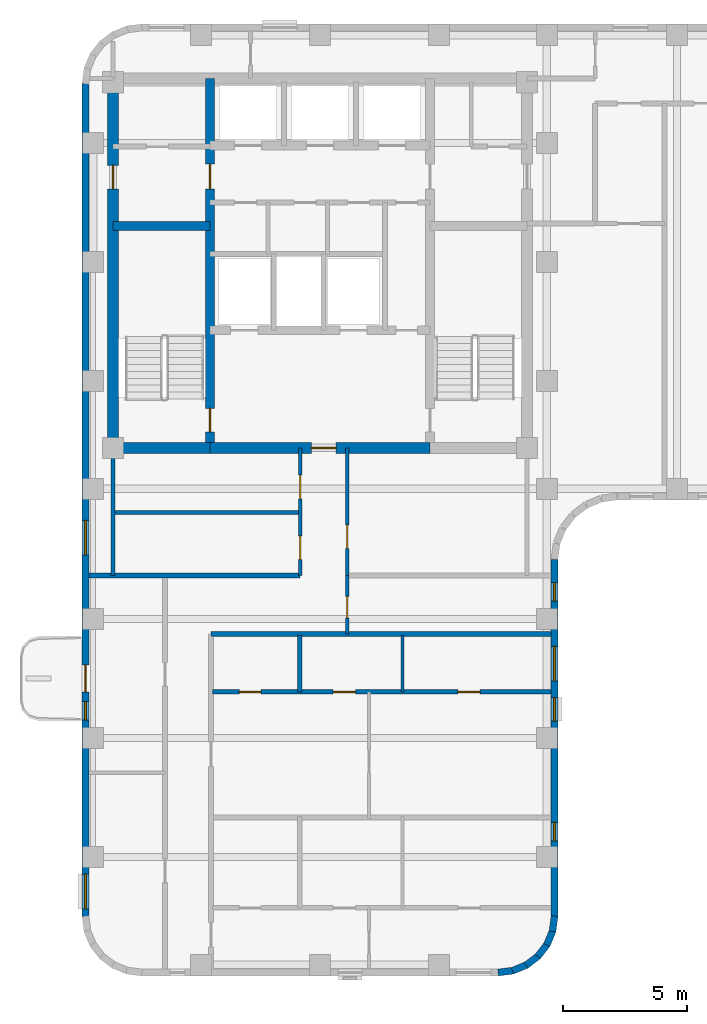
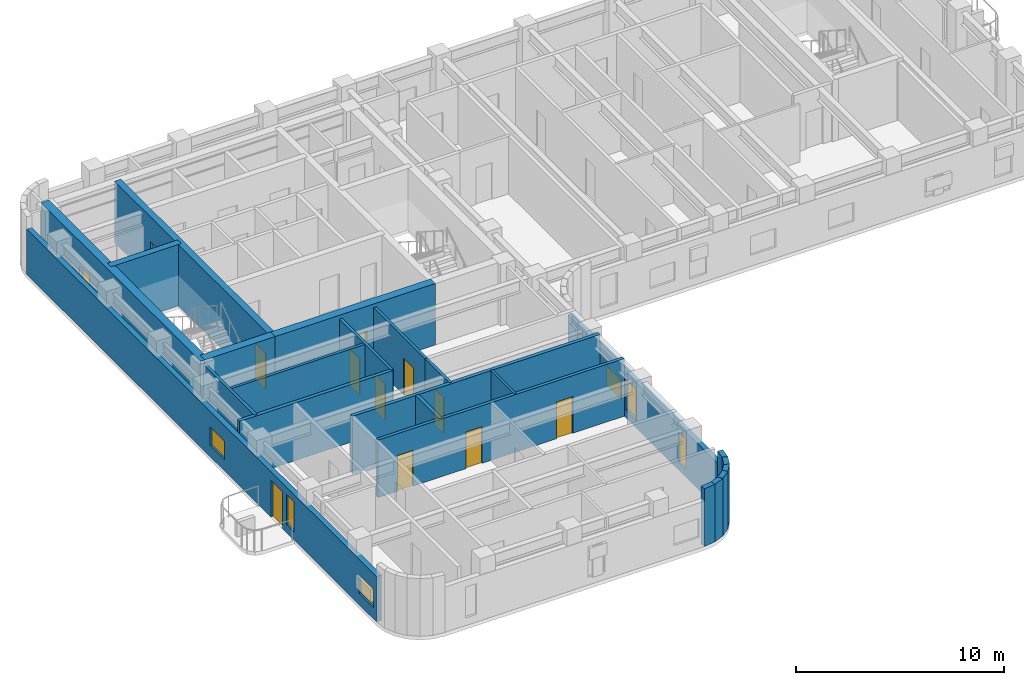
# One storey, part 3 of 10: 23 walls, 12 doors, 7 windows, 19 openings.
"""IFC4 building model written with IfcOpenShell, lengths in metres."""

from ifc_helpers import new_model, si_unit, direction, frame, frame_2d, origin, place, context, subcontext, project, spatial, rectangle, extrude, material, layer, layer_set, type_object, element, fill, save


model = new_model("IFC4")

# Units and contexts
model_context = context("Model", 3, precision=1e-05, world=origin(), true_north=direction((0.0, 1.0)))
body_context = subcontext(model_context, "Body", "Model", "MODEL_VIEW")
ifc_project = project(units=[si_unit("LENGTHUNIT", "METRE"), si_unit("AREAUNIT", "SQUARE_METRE"), si_unit("VOLUMEUNIT", "CUBIC_METRE"), si_unit("PLANEANGLEUNIT", "RADIAN"), si_unit("MASSUNIT", "GRAM", prefix="KILO")], contexts=[model_context])

# Site, building, storey
site_placement = place(None, origin())
site = spatial("IfcSite", under=ifc_project, at=site_placement, CompositionType="ELEMENT")
building_placement = place(site_placement, origin())
building = spatial("IfcBuilding", under=site, at=building_placement, Name="Orvandelia Arch Residences", CompositionType="ELEMENT")
storey_placement = place(building_placement, frame((0.0, 0.0, 207.39990234375)))
storey = spatial("IfcBuildingStorey", under=building, at=storey_placement, Name="L54", CompositionType="ELEMENT", Elevation=207.39990234375)

# Wall, openings, doors
ifc_material_1 = material(Name="Concrete C50/60", Category="concrete")
ifc_layer_1 = layer(ifc_material_1, 0.35009765625, Name="Concrete C50/60", Category="concrete")
ifc_layer_set_1 = layer_set([ifc_layer_1], Name="Concrete C50/60")
wall_type_1 = type_object("IfcWallType", Name="WL-CORE-350", PredefinedType="SHEAR", material=ifc_layer_set_1)
wall_1_placement = place(storey_placement, frame((9.9599609375, 30.89990234375, 0.0), z_axis=(0.0, 0.0, 1.0), x_axis=(0.0, 1.0, 0.0)))
wall_1 = element("IfcWall", 1, at=wall_1_placement, inside=storey, type_object=wall_type_1, Name="Core Shear Wall L54-WEB1", PredefinedType="SHEAR", context=body_context, shape_type="SweptSolid", body=[
    extrude(rectangle(XDim=14.900146484375, YDim=0.35009765625, at=frame_2d((7.4501953125, 0.0))), origin(), (0.0, 0.0, 1.0), 3.60009765625),
])
opening_1_placement = place(wall_1_placement, frame((0.64990234375, 0.0, 0.0)))
opening_1 = element("IfcOpeningElement", 2, at=opening_1_placement, cuts=wall_1, Name="Opening D7", PredefinedType="OPENING", context=body_context, shape_type="SweptSolid", body=[
    extrude(rectangle(XDim=0.949951171875, YDim=2.10009765625, at=frame_2d((0.47509765625, 1.050048828125))), frame((0.0, 0.18505859375, 0.0), z_axis=(0.0, -1.0, 0.0), x_axis=(1.0, 0.0, 0.0)), (0.0, 0.0, 1.0), 0.3701171875),
])
opening_2_placement = place(wall_1_placement, frame((10.449951171875, 0.0, 0.0)))
opening_2 = element("IfcOpeningElement", 3, at=opening_2_placement, cuts=wall_1, Name="Opening D6", PredefinedType="OPENING", context=body_context, shape_type="SweptSolid", body=[
    extrude(rectangle(XDim=1.0, YDim=2.14990234375, at=frame_2d((0.5, 1.074951171875))), frame((0.0, 0.18505859375, 0.0), z_axis=(0.0, -1.0, 0.0), x_axis=(1.0, 0.0, 0.0)), (0.0, 0.0, 1.0), 0.3701171875),
])
ifc_material_2 = material(Name="Smokeproof Painted Steel Fire Door", Category="steel")
door_type_1 = type_object("IfcDoorType", Name="DR-FD60-1000", OperationType="NOTDEFINED", PredefinedType="DOOR", material=ifc_material_2)
door_1_placement = place(opening_2_placement, origin())
door_1 = element("IfcDoor", 4, at=door_1_placement, inside=storey, type_object=door_type_1, Name="High-Rise Lift Hall West Vestibule Door L54", OperationType="SINGLE_SWING_LEFT", OverallHeight=2.14990234375, OverallWidth=1.0, PredefinedType="DOOR", context=body_context, shape_type="SweptSolid", body=[
    extrude(rectangle(XDim=1.0, YDim=2.14990234375, at=frame_2d((0.5, 1.074951171875))), frame((0.0, 0.02490234375, 0.0), z_axis=(0.0, -1.0, 0.0), x_axis=(1.0, 0.0, 0.0)), (0.0, 0.0, 1.0), 0.050048828125),
])
fill(opening_2, door_1)
ifc_material_3 = material(Name="Pressurised Stairwell Fire Door")
door_type_2 = type_object("IfcDoorType", Name="DR-STAIR-950", OperationType="NOTDEFINED", PredefinedType="DOOR", material=ifc_material_3)
door_2_placement = place(opening_1_placement, origin())
door_2 = element("IfcDoor", 5, at=door_2_placement, inside=storey, type_object=door_type_2, Name="Stairwell ST-1 Fire Door L54", OperationType="SINGLE_SWING_LEFT", OverallHeight=2.10009765625, OverallWidth=0.949951171875, PredefinedType="DOOR", context=body_context, shape_type="SweptSolid", body=[
    extrude(rectangle(XDim=0.949951171875, YDim=2.10009765625, at=frame_2d((0.47509765625, 1.050048828125))), frame((0.0, 0.02490234375, 0.0), z_axis=(0.0, -1.0, 0.0), x_axis=(1.0, 0.0, 0.0)), (0.0, 0.0, 1.0), 0.050048828125),
])
fill(opening_1, door_2)

# Wall
wall_2_placement = place(storey_placement, frame((6.050048828125, 39.85009765625, 0.0), z_axis=(0.0, 0.0, 1.0), x_axis=(1.0, 0.0, 0.0)))
element("IfcWall", 6, at=wall_2_placement, inside=storey, type_object=wall_type_1, Name="Core Shear Wall L54-HZ1", PredefinedType="SHEAR", context=body_context, shape_type="SweptSolid", body=[
    extrude(rectangle(XDim=3.909912109375, YDim=0.35009765625, at=frame_2d((1.955078125, 0.0))), origin(), (0.0, 0.0, 1.0), 3.60009765625),
])

# Wall, opening, door
ifc_layer_2 = layer(ifc_material_1, 0.449951171875, Name="Concrete C50/60", Category="concrete")
ifc_layer_set_2 = layer_set([ifc_layer_2], Name="Concrete C50/60")
wall_type_2 = type_object("IfcWallType", Name="WL-CORE-450", PredefinedType="SHEAR", material=ifc_layer_set_2)
wall_3_placement = place(storey_placement, frame((6.050048828125, 30.675048828125, 0.0), z_axis=(0.0, 0.0, 1.0), x_axis=(0.0, 1.0, 0.0)))
wall_3 = element("IfcWall", 7, at=wall_3_placement, inside=storey, type_object=wall_type_2, Name="Core Shear Wall L54-W", PredefinedType="SHEAR", context=body_context, shape_type="SweptSolid", body=[
    extrude(rectangle(XDim=15.349853515625, YDim=0.449951171875, at=frame_2d((7.6748046875, 0.0))), origin(), (0.0, 0.0, 1.0), 3.60009765625),
])
opening_3_placement = place(wall_3_placement, frame((10.675048828125, 0.0, 0.0)))
opening_3 = element("IfcOpeningElement", 8, at=opening_3_placement, cuts=wall_3, Name="Opening D2", PredefinedType="OPENING", context=body_context, shape_type="SweptSolid", body=[
    extrude(rectangle(XDim=0.949951171875, YDim=2.14990234375, at=frame_2d((0.47509765625, 1.074951171875))), frame((0.0, 0.23486328125, 0.0), z_axis=(0.0, -1.0, 0.0), x_axis=(1.0, 0.0, 0.0)), (0.0, 0.0, 1.0), 0.469970703125),
])
ifc_material_4 = material(Name="Solid-Core Timber Interior Fire Door", Category="wood")
door_type_3 = type_object("IfcDoorType", Name="DR-APT-950", OperationType="NOTDEFINED", PredefinedType="DOOR", material=ifc_material_4)
door_3_placement = place(opening_3_placement, origin())
door_3 = element("IfcDoor", 9, at=door_3_placement, inside=storey, type_object=door_type_3, Name="West Viewing Study Door L54", OperationType="SINGLE_SWING_RIGHT", OverallHeight=2.14990234375, OverallWidth=0.949951171875, PredefinedType="DOOR", context=body_context, shape_type="SweptSolid", body=[
    extrude(rectangle(XDim=0.949951171875, YDim=2.14990234375, at=frame_2d((0.47509765625, 1.074951171875))), frame((0.0, 0.02490234375, 0.0), z_axis=(0.0, -1.0, 0.0), x_axis=(1.0, 0.0, 0.0)), (0.0, 0.0, 1.0), 0.050048828125),
])
fill(opening_3, door_3)

# Wall
wall_4_placement = place(storey_placement, frame((6.050048828125, 30.89990234375, 0.0), z_axis=(0.0, 0.0, 1.0), x_axis=(1.0, 0.0, 0.0)))
element("IfcWall", 10, at=wall_4_placement, inside=storey, type_object=wall_type_2, Name="Core Shear Wall L54-SW", PredefinedType="SHEAR", context=body_context, shape_type="SweptSolid", body=[
    extrude(rectangle(XDim=3.909912109375, YDim=0.449951171875, at=frame_2d((1.955078125, 0.0))), origin(), (0.0, 0.0, 1.0), 3.60009765625),
])

# Wall, opening, door
wall_5_placement = place(storey_placement, frame((9.9599609375, 30.89990234375, 0.0), z_axis=(0.0, 0.0, 1.0), x_axis=(1.0, 0.0, 0.0)))
wall_5 = element("IfcWall", 11, at=wall_5_placement, inside=storey, type_object=wall_type_2, Name="Core Shear Wall L54-SM", PredefinedType="SHEAR", context=body_context, shape_type="SweptSolid", body=[
    extrude(rectangle(XDim=8.880126953125, YDim=0.449951171875, at=frame_2d((4.43994140625, 0.0))), origin(), (0.0, 0.0, 1.0), 3.60009765625),
])
opening_4_placement = place(wall_5_placement, frame((4.090087890625, 0.0, 0.0)))
opening_4 = element("IfcOpeningElement", 12, at=opening_4_placement, cuts=wall_5, Name="Opening D6", PredefinedType="OPENING", context=body_context, shape_type="SweptSolid", body=[
    extrude(rectangle(XDim=1.0, YDim=2.14990234375, at=frame_2d((0.5, 1.074951171875))), frame((0.0, 0.23486328125, 0.0), z_axis=(0.0, -1.0, 0.0), x_axis=(1.0, 0.0, 0.0)), (0.0, 0.0, 1.0), 0.469970703125),
])
door_4_placement = place(opening_4_placement, origin())
door_4 = element("IfcDoor", 13, at=door_4_placement, inside=storey, type_object=door_type_1, Name="Firefighting Lobby Smokeproof Door L54", OperationType="SINGLE_SWING_LEFT", OverallHeight=2.14990234375, OverallWidth=1.0, PredefinedType="DOOR", context=body_context, shape_type="SweptSolid", body=[
    extrude(rectangle(XDim=1.0, YDim=2.14990234375, at=frame_2d((0.5, 1.074951171875))), frame((0.0, 0.02490234375, 0.0), z_axis=(0.0, -1.0, 0.0), x_axis=(1.0, 0.0, 0.0)), (0.0, 0.0, 1.0), 0.050048828125),
])
fill(opening_4, door_4)

# Walls
ifc_material_5 = material(Name="Fire-Rated Corridor Partition")
ifc_layer_3 = layer(ifc_material_5, 0.199951171875, Name="Fire-Rated Corridor Partition")
ifc_layer_set_3 = layer_set([ifc_layer_3], Name="Fire-Rated Corridor Partition")
wall_type_3 = type_object("IfcWallType", Name="WL-CORR-200", PredefinedType="PARTITIONING", material=ifc_layer_set_3)
wall_6_placement = place(storey_placement, frame((10.0, 23.39990234375, 0.0), z_axis=(0.0, 0.0, 1.0), x_axis=(1.0, 0.0, 0.0)))
element("IfcWall", 14, at=wall_6_placement, inside=storey, type_object=wall_type_3, Name="Interior Partition Wall WL-L54-WLNK-S", PredefinedType="PARTITIONING", context=body_context, shape_type="SweptSolid", body=[
    extrude(rectangle(XDim=13.719970703125, YDim=0.199951171875, at=frame_2d((6.85986328125, 0.0))), origin(), (0.0, 0.0, 1.0), 3.380126953125),
])
wall_7_placement = place(storey_placement, frame((5.080078125, 25.75, 0.0), z_axis=(0.0, 0.0, 1.0), x_axis=(1.0, 0.0, 0.0)))
element("IfcWall", 15, at=wall_7_placement, inside=storey, type_object=wall_type_3, Name="Interior Partition Wall WL-L54-WLNK-N", PredefinedType="PARTITIONING", context=body_context, shape_type="SweptSolid", body=[
    extrude(rectangle(XDim=8.52001953125, YDim=0.199951171875, at=frame_2d((4.260009765625, 0.0))), origin(), (0.0, 0.0, 1.0), 3.380126953125),
])

# Wall, openings, windows
ifc_material_6 = material(Name="Precast concrete C40/50", Category="concrete")
ifc_layer_4 = layer(ifc_material_6, 0.280029296875, Name="Precast concrete C40/50", Category="concrete")
ifc_layer_set_4 = layer_set([ifc_layer_4], Name="Precast concrete C40/50")
wall_type_4 = type_object("IfcWallType", Name="WL-EXT-STONE-280", PredefinedType="STANDARD", material=ifc_layer_set_4)
wall_8_placement = place(storey_placement, frame((23.860107421875, 26.39990234375, 0.0), z_axis=(0.0, 0.0, 1.0), x_axis=(0.0, -1.0, 0.0)))
wall_8 = element("IfcWall", 16, at=wall_8_placement, inside=storey, type_object=wall_type_4, Name="Coral-Limestone Precast Facade Wall L54-028", PredefinedType="STANDARD", context=body_context, shape_type="SweptSolid", body=[
    extrude(rectangle(XDim=14.39990234375, YDim=0.280029296875, at=frame_2d((7.199951171875, 0.0))), origin(), (0.0, 0.0, 1.0), 2.66015625),
])
opening_5_placement = place(wall_8_placement, frame((10.6025390625, 0.0, 0.449951171875)))
opening_5 = element("IfcOpeningElement", 17, at=opening_5_placement, cuts=wall_8, Name="Opening W11", PredefinedType="OPENING", context=body_context, shape_type="SweptSolid", body=[
    extrude(rectangle(XDim=0.75, YDim=1.800048828125, at=frame_2d((0.375, 0.89990234375))), frame((0.0, 0.14990234375, 0.0), z_axis=(0.0, -1.0, 0.0), x_axis=(1.0, 0.0, 0.0)), (0.0, 0.0, 1.0), 0.300048828125),
])
opening_6_placement = place(wall_8_placement, frame((3.5, 0.0, 0.64990234375)))
opening_6 = element("IfcOpeningElement", 18, at=opening_6_placement, cuts=wall_8, Name="Opening W10", PredefinedType="OPENING", context=body_context, shape_type="SweptSolid", body=[
    extrude(rectangle(XDim=1.39990234375, YDim=1.10009765625, at=frame_2d((0.699951171875, 0.550048828125))), frame((0.0, 0.14990234375, 0.0), z_axis=(0.0, -1.0, 0.0), x_axis=(1.0, 0.0, 0.0)), (0.0, 0.0, 1.0), 0.300048828125),
])
opening_7_placement = place(wall_8_placement, frame((5.572509765625, 0.0, 0.449951171875)))
opening_7 = element("IfcOpeningElement", 19, at=opening_7_placement, cuts=wall_8, Name="Opening W4", PredefinedType="OPENING", context=body_context, shape_type="SweptSolid", body=[
    extrude(rectangle(XDim=0.949951171875, YDim=1.800048828125, at=frame_2d((0.47509765625, 0.89990234375))), frame((0.0, 0.14990234375, 0.0), z_axis=(0.0, -1.0, 0.0), x_axis=(1.0, 0.0, 0.0)), (0.0, 0.0, 1.0), 0.300048828125),
])
opening_8_placement = place(wall_8_placement, frame((0.9326171875, 0.0, 0.449951171875)))
opening_8 = element("IfcOpeningElement", 20, at=opening_8_placement, cuts=wall_8, Name="Opening W11", PredefinedType="OPENING", context=body_context, shape_type="SweptSolid", body=[
    extrude(rectangle(XDim=0.75, YDim=1.800048828125, at=frame_2d((0.375, 0.89990234375))), frame((0.0, 0.14990234375, 0.0), z_axis=(0.0, -1.0, 0.0), x_axis=(1.0, 0.0, 0.0)), (0.0, 0.0, 1.0), 0.300048828125),
])
ifc_material_7 = material(Name="Tempered Low-E Insulated Glazing", Category="glass")
window_type_1 = type_object("IfcWindowType", Name="WIN-BED-0750x1800", PartitioningType="SINGLE_PANEL", PredefinedType="WINDOW", material=ifc_material_7)
window_1_placement = place(opening_5_placement, origin())
window_1 = element("IfcWindow", 21, at=window_1_placement, inside=storey, type_object=window_type_1, Name="Recessed Punched Window L54-013", OverallHeight=1.800048828125, OverallWidth=0.75, PartitioningType="SINGLE_PANEL", PredefinedType="WINDOW", context=body_context, shape_type="SweptSolid", body=[
    extrude(rectangle(XDim=0.75, YDim=1.800048828125, at=frame_2d((0.375, 0.89990234375))), frame((0.0, 0.030029296875, 0.0), z_axis=(0.0, -1.0, 0.0), x_axis=(1.0, 0.0, 0.0)), (0.0, 0.0, 1.0), 0.06005859375),
])
fill(opening_5, window_1)
window_2_placement = place(opening_8_placement, origin())
window_2 = element("IfcWindow", 22, at=window_2_placement, inside=storey, type_object=window_type_1, Name="Recessed Punched Window L54-016", OverallHeight=1.800048828125, OverallWidth=0.75, PartitioningType="SINGLE_PANEL", PredefinedType="WINDOW", context=body_context, shape_type="SweptSolid", body=[
    extrude(rectangle(XDim=0.75, YDim=1.800048828125, at=frame_2d((0.375, 0.89990234375))), frame((0.0, 0.030029296875, 0.0), z_axis=(0.0, -1.0, 0.0), x_axis=(1.0, 0.0, 0.0)), (0.0, 0.0, 1.0), 0.06005859375),
])
fill(opening_8, window_2)
window_type_2 = type_object("IfcWindowType", Name="WIN-CLR-1400x1100", PartitioningType="SINGLE_PANEL", PredefinedType="WINDOW", material=ifc_material_7)
window_3_placement = place(opening_6_placement, origin())
window_3 = element("IfcWindow", 23, at=window_3_placement, inside=storey, type_object=window_type_2, Name="Recessed Punched Window L54-014", OverallHeight=1.10009765625, OverallWidth=1.39990234375, PartitioningType="SINGLE_PANEL", PredefinedType="WINDOW", context=body_context, shape_type="SweptSolid", body=[
    extrude(rectangle(XDim=1.39990234375, YDim=1.10009765625, at=frame_2d((0.699951171875, 0.550048828125))), frame((0.0, 0.030029296875, 0.0), z_axis=(0.0, -1.0, 0.0), x_axis=(1.0, 0.0, 0.0)), (0.0, 0.0, 1.0), 0.06005859375),
])
fill(opening_6, window_3)
window_type_3 = type_object("IfcWindowType", Name="WIN-RES-0950x1800", PartitioningType="SINGLE_PANEL", PredefinedType="WINDOW", material=ifc_material_7)
window_4_placement = place(opening_7_placement, origin())
window_4 = element("IfcWindow", 24, at=window_4_placement, inside=storey, type_object=window_type_3, Name="Recessed Punched Window L54-015", OverallHeight=1.800048828125, OverallWidth=0.949951171875, PartitioningType="SINGLE_PANEL", PredefinedType="WINDOW", context=body_context, shape_type="SweptSolid", body=[
    extrude(rectangle(XDim=0.949951171875, YDim=1.800048828125, at=frame_2d((0.47509765625, 0.89990234375))), frame((0.0, 0.030029296875, 0.0), z_axis=(0.0, -1.0, 0.0), x_axis=(1.0, 0.0, 0.0)), (0.0, 0.0, 1.0), 0.06005859375),
])
fill(opening_7, window_4)

# Walls
for number, where, z_axis, x_axis, name in (
    (25, (23.861083984375, 12.018310546875, 0.0), (0.0, 0.0, 1.0), (-0.130555323746, -0.9914410257, 0.0), "Coral-Limestone Precast Facade Wall L54-029"),
    (26, (23.788818359375, 11.432373046875, 0.0), (0.0, 0.0, 1.0), (-0.382317370307, -0.924031075431, 0.0), "Coral-Limestone Precast Facade Wall L54-030"),
    (27, (23.5673828125, 10.88525390625, 0.0), (0.0, 0.0, 1.0), (-0.608693302629, -0.793405610854, 0.0), "Coral-Limestone Precast Facade Wall L54-031"),
    (28, (23.2119140625, 10.4140625, 0.0), (0.0, 0.0, 1.0), (-0.793405610854, -0.608693302629, 0.0), "Coral-Limestone Precast Facade Wall L54-032"),
    (29, (22.746337890625, 10.05078125, 0.0), (0.0, 0.0, 1.0), (-0.92389335771, -0.382650053678, 0.0), "Coral-Limestone Precast Facade Wall L54-033"),
    (30, (22.202880859375, 9.820556640625, 0.0), (0.0, 0.0, 1.0), (-0.9914410257, -0.130555323746, 0.0), "Coral-Limestone Precast Facade Wall L54-034"),
):
    element("IfcWall", number, at=place(storey_placement, frame(where, z_axis=z_axis, x_axis=x_axis)), inside=storey, type_object=wall_type_4, Name=name, PredefinedType="STANDARD", context=body_context, shape_type="SweptSolid", body=[
        extrude(rectangle(XDim=0.62646484375, YDim=0.280029296875, at=frame_2d((0.313232421875, 0.0))), origin(), (0.0, 0.0, 1.0), 3.380126953125),
    ])

# Wall, openings, door, windows
wall_9_placement = place(storey_placement, frame((4.93994140625, 12.0, 0.0), z_axis=(0.0, 0.0, 1.0), x_axis=(0.0, 1.0, 0.0)))
wall_9 = element("IfcWall", 31, at=wall_9_placement, inside=storey, type_object=wall_type_4, Name="Coral-Limestone Precast Facade Wall L54-042", PredefinedType="STANDARD", context=body_context, shape_type="SweptSolid", body=[
    extrude(rectangle(XDim=33.60009765625, YDim=0.280029296875, at=frame_2d((16.800048828125, 0.0))), origin(), (0.0, 0.0, 1.0), 2.66015625),
])
opening_9_placement = place(wall_9_placement, frame((9.050048828125, 0.0, 0.0)))
opening_9 = element("IfcOpeningElement", 32, at=opening_9_placement, cuts=wall_9, Name="Opening BD1", PredefinedType="OPENING", context=body_context, shape_type="SweptSolid", body=[
    extrude(rectangle(XDim=1.10009765625, YDim=2.14990234375, at=frame_2d((0.550048828125, 1.074951171875))), frame((0.0, 0.14990234375, 0.0), z_axis=(0.0, -1.0, 0.0), x_axis=(1.0, 0.0, 0.0)), (0.0, 0.0, 1.0), 0.300048828125),
])
opening_10_placement = place(wall_9_placement, frame((14.58251953125, 0.0, 0.64990234375)))
opening_10 = element("IfcOpeningElement", 33, at=opening_10_placement, cuts=wall_9, Name="Opening W10", PredefinedType="OPENING", context=body_context, shape_type="SweptSolid", body=[
    extrude(rectangle(XDim=1.39990234375, YDim=1.10009765625, at=frame_2d((0.699951171875, 0.550048828125))), frame((0.0, 0.14990234375, 0.0), z_axis=(0.0, -1.0, 0.0), x_axis=(1.0, 0.0, 0.0)), (0.0, 0.0, 1.0), 0.300048828125),
])
opening_11_placement = place(wall_9_placement, frame((0.3076171875, 0.0, 0.64990234375)))
opening_11 = element("IfcOpeningElement", 34, at=opening_11_placement, cuts=wall_9, Name="Opening W10", PredefinedType="OPENING", context=body_context, shape_type="SweptSolid", body=[
    extrude(rectangle(XDim=1.39990234375, YDim=1.10009765625, at=frame_2d((0.699951171875, 0.550048828125))), frame((0.0, 0.14990234375, 0.0), z_axis=(0.0, -1.0, 0.0), x_axis=(1.0, 0.0, 0.0)), (0.0, 0.0, 1.0), 0.300048828125),
])
opening_12_placement = place(wall_9_placement, frame((7.922607421875, 0.0, 0.449951171875)))
opening_12 = element("IfcOpeningElement", 35, at=opening_12_placement, cuts=wall_9, Name="Opening W11", PredefinedType="OPENING", context=body_context, shape_type="SweptSolid", body=[
    extrude(rectangle(XDim=0.75, YDim=1.800048828125, at=frame_2d((0.375, 0.89990234375))), frame((0.0, 0.14990234375, 0.0), z_axis=(0.0, -1.0, 0.0), x_axis=(1.0, 0.0, 0.0)), (0.0, 0.0, 1.0), 0.300048828125),
])
ifc_material_8 = material(Name="Thermally Broken Aluminium Glazed Door", Category="aluminium")
door_type_4 = type_object("IfcDoorType", Name="DR-BAL-GLAZ-1100", OperationType="NOTDEFINED", PredefinedType="DOOR", material=ifc_material_8)
door_5_placement = place(opening_9_placement, origin())
door_5 = element("IfcDoor", 36, at=door_5_placement, inside=storey, type_object=door_type_4, Name="Tree Balcony Glazed Door BAL-L54-W1", OperationType="SINGLE_SWING_RIGHT", OverallHeight=2.14990234375, OverallWidth=1.10009765625, PredefinedType="DOOR", context=body_context, shape_type="SweptSolid", body=[
    extrude(rectangle(XDim=1.10009765625, YDim=2.14990234375, at=frame_2d((0.550048828125, 1.074951171875))), frame((0.0, 0.02490234375, 0.0), z_axis=(0.0, -1.0, 0.0), x_axis=(1.0, 0.0, 0.0)), (0.0, 0.0, 1.0), 0.050048828125),
])
fill(opening_9, door_5)
window_5_placement = place(opening_12_placement, origin())
window_5 = element("IfcWindow", 37, at=window_5_placement, inside=storey, type_object=window_type_1, Name="Recessed Punched Window L54-022", OverallHeight=1.800048828125, OverallWidth=0.75, PartitioningType="SINGLE_PANEL", PredefinedType="WINDOW", context=body_context, shape_type="SweptSolid", body=[
    extrude(rectangle(XDim=0.75, YDim=1.800048828125, at=frame_2d((0.375, 0.89990234375))), frame((0.0, 0.030029296875, 0.0), z_axis=(0.0, -1.0, 0.0), x_axis=(1.0, 0.0, 0.0)), (0.0, 0.0, 1.0), 0.06005859375),
])
fill(opening_12, window_5)
window_6_placement = place(opening_10_placement, origin())
window_6 = element("IfcWindow", 38, at=window_6_placement, inside=storey, type_object=window_type_2, Name="Recessed Punched Window L54-020", OverallHeight=1.10009765625, OverallWidth=1.39990234375, PartitioningType="SINGLE_PANEL", PredefinedType="WINDOW", context=body_context, shape_type="SweptSolid", body=[
    extrude(rectangle(XDim=1.39990234375, YDim=1.10009765625, at=frame_2d((0.699951171875, 0.550048828125))), frame((0.0, 0.030029296875, 0.0), z_axis=(0.0, -1.0, 0.0), x_axis=(1.0, 0.0, 0.0)), (0.0, 0.0, 1.0), 0.06005859375),
])
fill(opening_10, window_6)
window_7_placement = place(opening_11_placement, origin())
window_7 = element("IfcWindow", 39, at=window_7_placement, inside=storey, type_object=window_type_2, Name="Recessed Punched Window L54-021", OverallHeight=1.10009765625, OverallWidth=1.39990234375, PartitioningType="SINGLE_PANEL", PredefinedType="WINDOW", context=body_context, shape_type="SweptSolid", body=[
    extrude(rectangle(XDim=1.39990234375, YDim=1.10009765625, at=frame_2d((0.699951171875, 0.550048828125))), frame((0.0, 0.030029296875, 0.0), z_axis=(0.0, -1.0, 0.0), x_axis=(1.0, 0.0, 0.0)), (0.0, 0.0, 1.0), 0.06005859375),
])
fill(opening_11, window_7)

# Wall
ifc_material_9 = material(Name="Lightweight Gypsum Stud Partition")
ifc_layer_5 = layer(ifc_material_9, 0.1201171875, Name="Lightweight Gypsum Stud Partition")
ifc_layer_set_5 = layer_set([ifc_layer_5], Name="Lightweight Gypsum Stud Partition")
wall_type_5 = type_object("IfcWallType", Name="WL-PART-120", PredefinedType="PARTITIONING", material=ifc_layer_set_5)
wall_10_placement = place(storey_placement, frame((17.720947265625, 21.06005859375, 0.0), z_axis=(0.0, 0.0, 1.0), x_axis=(0.0, 1.0, 0.0)))
element("IfcWall", 40, at=wall_10_placement, inside=storey, type_object=wall_type_5, Name="Interior Partition Wall WL-L54-U02-V2", PredefinedType="PARTITIONING", context=body_context, shape_type="SweptSolid", body=[
    extrude(rectangle(XDim=2.280029296875, YDim=0.1201171875, at=frame_2d((1.14013671875, 0.0))), origin(), (0.0, 0.0, 1.0), 3.380126953125),
])

# Wall, openings, doors
ifc_material_10 = material(Name="Acoustic Gypsum Stud Partition")
ifc_layer_6 = layer(ifc_material_10, 0.14990234375, Name="Acoustic Gypsum Stud Partition")
ifc_layer_set_6 = layer_set([ifc_layer_6], Name="Acoustic Gypsum Stud Partition")
wall_type_6 = type_object("IfcWallType", Name="WL-PART-150", PredefinedType="PARTITIONING", material=ifc_layer_set_6)
wall_11_placement = place(storey_placement, frame((13.60009765625, 25.75, 0.0), z_axis=(0.0, 0.0, 1.0), x_axis=(0.0, 1.0, 0.0)))
wall_11 = element("IfcWall", 41, at=wall_11_placement, inside=storey, type_object=wall_type_6, Name="Interior Partition Wall WL-L54-HI-W1", PredefinedType="PARTITIONING", context=body_context, shape_type="SweptSolid", body=[
    extrude(rectangle(XDim=5.14990234375, YDim=0.14990234375, at=frame_2d((2.574951171875, 0.0))), origin(), (0.0, 0.0, 1.0), 3.380126953125),
])
opening_13_placement = place(wall_11_placement, frame((0.64990234375, 0.0, 0.0)))
opening_13 = element("IfcOpeningElement", 42, at=opening_13_placement, cuts=wall_11, Name="Opening D2", PredefinedType="OPENING", context=body_context, shape_type="SweptSolid", body=[
    extrude(rectangle(XDim=0.949951171875, YDim=2.14990234375, at=frame_2d((0.47509765625, 1.074951171875))), frame((0.0, 0.0849609375, 0.0), z_axis=(0.0, -1.0, 0.0), x_axis=(1.0, 0.0, 0.0)), (0.0, 0.0, 1.0), 0.169921875),
])
opening_14_placement = place(wall_11_placement, frame((3.10009765625, 0.0, 0.0)))
opening_14 = element("IfcOpeningElement", 43, at=opening_14_placement, cuts=wall_11, Name="Opening D2", PredefinedType="OPENING", context=body_context, shape_type="SweptSolid", body=[
    extrude(rectangle(XDim=0.949951171875, YDim=2.14990234375, at=frame_2d((0.47509765625, 1.074951171875))), frame((0.0, 0.0849609375, 0.0), z_axis=(0.0, -1.0, 0.0), x_axis=(1.0, 0.0, 0.0)), (0.0, 0.0, 1.0), 0.169921875),
])
door_6_placement = place(opening_13_placement, origin())
door_6 = element("IfcDoor", 44, at=door_6_placement, inside=storey, type_object=door_type_3, Name="DR-L54-HIR1S", OperationType="SINGLE_SWING_LEFT", OverallHeight=2.14990234375, OverallWidth=0.949951171875, PredefinedType="DOOR", context=body_context, shape_type="SweptSolid", body=[
    extrude(rectangle(XDim=0.949951171875, YDim=2.14990234375, at=frame_2d((0.47509765625, 1.074951171875))), frame((0.0, 0.02490234375, 0.0), z_axis=(0.0, -1.0, 0.0), x_axis=(1.0, 0.0, 0.0)), (0.0, 0.0, 1.0), 0.050048828125),
])
fill(opening_13, door_6)
door_7_placement = place(opening_14_placement, origin())
door_7 = element("IfcDoor", 45, at=door_7_placement, inside=storey, type_object=door_type_3, Name="DR-L54-HIR1N", OperationType="SINGLE_SWING_RIGHT", OverallHeight=2.14990234375, OverallWidth=0.949951171875, PredefinedType="DOOR", context=body_context, shape_type="SweptSolid", body=[
    extrude(rectangle(XDim=0.949951171875, YDim=2.14990234375, at=frame_2d((0.47509765625, 1.074951171875))), frame((0.0, 0.02490234375, 0.0), z_axis=(0.0, -1.0, 0.0), x_axis=(1.0, 0.0, 0.0)), (0.0, 0.0, 1.0), 0.050048828125),
])
fill(opening_14, door_7)

# Wall, opening, door
wall_12_placement = place(storey_placement, frame((15.5, 25.75, 0.0), z_axis=(0.0, 0.0, 1.0), x_axis=(0.0, 1.0, 0.0)))
wall_12 = element("IfcWall", 46, at=wall_12_placement, inside=storey, type_object=wall_type_6, Name="Interior Partition Wall WL-L54-HI-W2", PredefinedType="PARTITIONING", context=body_context, shape_type="SweptSolid", body=[
    extrude(rectangle(XDim=5.14990234375, YDim=0.14990234375, at=frame_2d((2.574951171875, 0.0))), origin(), (0.0, 0.0, 1.0), 3.380126953125),
])
opening_15_placement = place(wall_12_placement, frame((1.10009765625, 0.0, 0.0)))
opening_15 = element("IfcOpeningElement", 47, at=opening_15_placement, cuts=wall_12, Name="Opening D2", PredefinedType="OPENING", context=body_context, shape_type="SweptSolid", body=[
    extrude(rectangle(XDim=0.949951171875, YDim=2.14990234375, at=frame_2d((0.47509765625, 1.074951171875))), frame((0.0, 0.0849609375, 0.0), z_axis=(0.0, -1.0, 0.0), x_axis=(1.0, 0.0, 0.0)), (0.0, 0.0, 1.0), 0.169921875),
])
door_8_placement = place(opening_15_placement, origin())
door_8 = element("IfcDoor", 48, at=door_8_placement, inside=storey, type_object=door_type_3, Name="DR-L54-HIR2", OperationType="SINGLE_SWING_RIGHT", OverallHeight=2.14990234375, OverallWidth=0.949951171875, PredefinedType="DOOR", context=body_context, shape_type="SweptSolid", body=[
    extrude(rectangle(XDim=0.949951171875, YDim=2.14990234375, at=frame_2d((0.47509765625, 1.074951171875))), frame((0.0, 0.02490234375, 0.0), z_axis=(0.0, -1.0, 0.0), x_axis=(1.0, 0.0, 0.0)), (0.0, 0.0, 1.0), 0.050048828125),
])
fill(opening_15, door_8)

# Walls
wall_13_placement = place(storey_placement, frame((6.050048828125, 25.75, 0.0), z_axis=(0.0, 0.0, 1.0), x_axis=(0.0, 1.0, 0.0)))
element("IfcWall", 49, at=wall_13_placement, inside=storey, type_object=wall_type_6, Name="Interior Partition Wall WL-L54-HI-WW", PredefinedType="PARTITIONING", context=body_context, shape_type="SweptSolid", body=[
    extrude(rectangle(XDim=5.14990234375, YDim=0.14990234375, at=frame_2d((2.574951171875, 0.0))), origin(), (0.0, 0.0, 1.0), 3.380126953125),
])
wall_14_placement = place(storey_placement, frame((6.050048828125, 28.300048828125, 0.0), z_axis=(0.0, 0.0, 1.0), x_axis=(1.0, 0.0, 0.0)))
element("IfcWall", 50, at=wall_14_placement, inside=storey, type_object=wall_type_6, Name="Interior Partition Wall WL-L54-HIR-H1", PredefinedType="PARTITIONING", context=body_context, shape_type="SweptSolid", body=[
    extrude(rectangle(XDim=7.550048828125, YDim=0.14990234375, at=frame_2d((3.77490234375, 0.0))), origin(), (0.0, 0.0, 1.0), 3.380126953125),
])

# Wall, opening, door
wall_15_placement = place(storey_placement, frame((15.5, 23.39990234375, 0.0), z_axis=(0.0, 0.0, 1.0), x_axis=(0.0, 1.0, 0.0)))
wall_15 = element("IfcWall", 51, at=wall_15_placement, inside=storey, type_object=wall_type_6, Name="Interior Partition Wall WL-L54-WLNK-E", PredefinedType="PARTITIONING", context=body_context, shape_type="SweptSolid", body=[
    extrude(rectangle(XDim=2.35009765625, YDim=0.14990234375, at=frame_2d((1.175048828125, 0.0))), origin(), (0.0, 0.0, 1.0), 3.380126953125),
])
opening_16_placement = place(wall_15_placement, frame((0.64990234375, 0.0, 0.0)))
opening_16 = element("IfcOpeningElement", 52, at=opening_16_placement, cuts=wall_15, Name="Opening D4", PredefinedType="OPENING", context=body_context, shape_type="SweptSolid", body=[
    extrude(rectangle(XDim=0.860107421875, YDim=2.10009765625, at=frame_2d((0.43017578125, 1.050048828125))), frame((0.0, 0.0849609375, 0.0), z_axis=(0.0, -1.0, 0.0), x_axis=(1.0, 0.0, 0.0)), (0.0, 0.0, 1.0), 0.169921875),
])
ifc_material_11 = material(Name="Moisture-Sealed Timber Bathroom Door", Category="wood")
door_type_5 = type_object("IfcDoorType", Name="DR-WET-900", OperationType="NOTDEFINED", PredefinedType="DOOR", material=ifc_material_11)
door_9_placement = place(opening_16_placement, origin())
door_9 = element("IfcDoor", 53, at=door_9_placement, inside=storey, type_object=door_type_5, Name="DR-L54-WLNKST", OperationType="SINGLE_SWING_RIGHT", OverallHeight=2.10009765625, OverallWidth=0.860107421875, PredefinedType="DOOR", context=body_context, shape_type="SweptSolid", body=[
    extrude(rectangle(XDim=0.860107421875, YDim=2.10009765625, at=frame_2d((0.43017578125, 1.050048828125))), frame((0.0, 0.02490234375, 0.0), z_axis=(0.0, -1.0, 0.0), x_axis=(1.0, 0.0, 0.0)), (0.0, 0.0, 1.0), 0.050048828125),
])
fill(opening_16, door_9)

# Wall, openings, doors
ifc_material_12 = material(Name="Moisture-Resistant Plumbing Wall")
ifc_layer_7 = layer(ifc_material_12, 0.179931640625, Name="Moisture-Resistant Plumbing Wall")
ifc_layer_set_7 = layer_set([ifc_layer_7], Name="Moisture-Resistant Plumbing Wall")
wall_type_7 = type_object("IfcWallType", Name="WL-WET-180", PredefinedType="PLUMBINGWALL", material=ifc_layer_set_7)
wall_16_placement = place(storey_placement, frame((10.06005859375, 21.06005859375, 0.0), z_axis=(0.0, 0.0, 1.0), x_axis=(1.0, 0.0, 0.0)))
wall_16 = element("IfcWall", 54, at=wall_16_placement, inside=storey, type_object=wall_type_7, Name="Interior Partition Wall WL-L54-U02-HZ", PredefinedType="PLUMBINGWALL", context=body_context, shape_type="SweptSolid", body=[
    extrude(rectangle(XDim=13.659912109375, YDim=0.179931640625, at=frame_2d((6.830078125, 0.0))), origin(), (0.0, 0.0, 1.0), 3.380126953125),
])
opening_17_placement = place(wall_16_placement, frame((1.0908203125, 0.0, 0.0)))
opening_17 = element("IfcOpeningElement", 55, at=opening_17_placement, cuts=wall_16, Name="Opening D4", PredefinedType="OPENING", context=body_context, shape_type="SweptSolid", body=[
    extrude(rectangle(XDim=0.860107421875, YDim=2.10009765625, at=frame_2d((0.43017578125, 1.050048828125))), frame((0.0, 0.10009765625, 0.0), z_axis=(0.0, -1.0, 0.0), x_axis=(1.0, 0.0, 0.0)), (0.0, 0.0, 1.0), 0.199951171875),
])
opening_18_placement = place(wall_16_placement, frame((4.8681640625, 0.0, 0.0)))
opening_18 = element("IfcOpeningElement", 56, at=opening_18_placement, cuts=wall_16, Name="Opening D3", PredefinedType="OPENING", context=body_context, shape_type="SweptSolid", body=[
    extrude(rectangle(XDim=0.89990234375, YDim=2.14990234375, at=frame_2d((0.449951171875, 1.074951171875))), frame((0.0, 0.10009765625, 0.0), z_axis=(0.0, -1.0, 0.0), x_axis=(1.0, 0.0, 0.0)), (0.0, 0.0, 1.0), 0.199951171875),
])
opening_19_placement = place(wall_16_placement, frame((9.897216796875, 0.0, 0.0)))
opening_19 = element("IfcOpeningElement", 57, at=opening_19_placement, cuts=wall_16, Name="Opening D3", PredefinedType="OPENING", context=body_context, shape_type="SweptSolid", body=[
    extrude(rectangle(XDim=0.89990234375, YDim=2.14990234375, at=frame_2d((0.449951171875, 1.074951171875))), frame((0.0, 0.10009765625, 0.0), z_axis=(0.0, -1.0, 0.0), x_axis=(1.0, 0.0, 0.0)), (0.0, 0.0, 1.0), 0.199951171875),
])
ifc_material_13 = material(Name="Engineered Timber Flush Door", Category="wood")
door_type_6 = type_object("IfcDoorType", Name="DR-INT-900", OperationType="NOTDEFINED", PredefinedType="DOOR", material=ifc_material_13)
door_10_placement = place(opening_18_placement, origin())
door_10 = element("IfcDoor", 58, at=door_10_placement, inside=storey, type_object=door_type_6, Name="DR-L54-U02-KIT", OperationType="SINGLE_SWING_RIGHT", OverallHeight=2.14990234375, OverallWidth=0.89990234375, PredefinedType="DOOR", context=body_context, shape_type="SweptSolid", body=[
    extrude(rectangle(XDim=0.89990234375, YDim=2.14990234375, at=frame_2d((0.449951171875, 1.074951171875))), frame((0.0, 0.02490234375, 0.0), z_axis=(0.0, -1.0, 0.0), x_axis=(1.0, 0.0, 0.0)), (0.0, 0.0, 1.0), 0.050048828125),
])
fill(opening_18, door_10)
door_11_placement = place(opening_19_placement, origin())
door_11 = element("IfcDoor", 59, at=door_11_placement, inside=storey, type_object=door_type_6, Name="DR-L54-U02-BD1", OperationType="SINGLE_SWING_LEFT", OverallHeight=2.14990234375, OverallWidth=0.89990234375, PredefinedType="DOOR", context=body_context, shape_type="SweptSolid", body=[
    extrude(rectangle(XDim=0.89990234375, YDim=2.14990234375, at=frame_2d((0.449951171875, 1.074951171875))), frame((0.0, 0.02490234375, 0.0), z_axis=(0.0, -1.0, 0.0), x_axis=(1.0, 0.0, 0.0)), (0.0, 0.0, 1.0), 0.050048828125),
])
fill(opening_19, door_11)
door_12_placement = place(opening_17_placement, origin())
door_12 = element("IfcDoor", 60, at=door_12_placement, inside=storey, type_object=door_type_5, Name="DR-L54-U02-BTH", OperationType="SINGLE_SWING_LEFT", OverallHeight=2.10009765625, OverallWidth=0.860107421875, PredefinedType="DOOR", context=body_context, shape_type="SweptSolid", body=[
    extrude(rectangle(XDim=0.860107421875, YDim=2.10009765625, at=frame_2d((0.43017578125, 1.050048828125))), frame((0.0, 0.02490234375, 0.0), z_axis=(0.0, -1.0, 0.0), x_axis=(1.0, 0.0, 0.0)), (0.0, 0.0, 1.0), 0.050048828125),
])
fill(opening_17, door_12)

# Wall
wall_17_placement = place(storey_placement, frame((13.583984375, 21.06005859375, 0.0), z_axis=(0.0, 0.0, 1.0), x_axis=(0.0, 1.0, 0.0)))
element("IfcWall", 61, at=wall_17_placement, inside=storey, type_object=wall_type_7, Name="Interior Partition Wall WL-L54-U02-V1", PredefinedType="PLUMBINGWALL", context=body_context, shape_type="SweptSolid", body=[
    extrude(rectangle(XDim=2.280029296875, YDim=0.179931640625, at=frame_2d((1.14013671875, 0.0))), origin(), (0.0, 0.0, 1.0), 3.380126953125),
])

save(model, "model.ifc")
